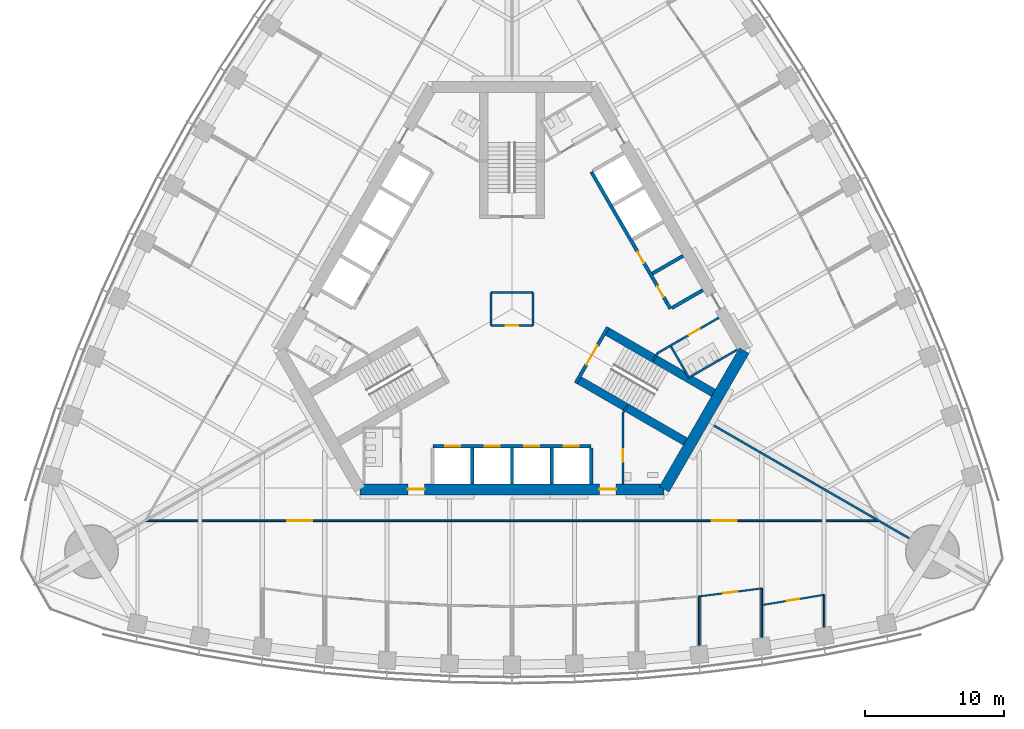
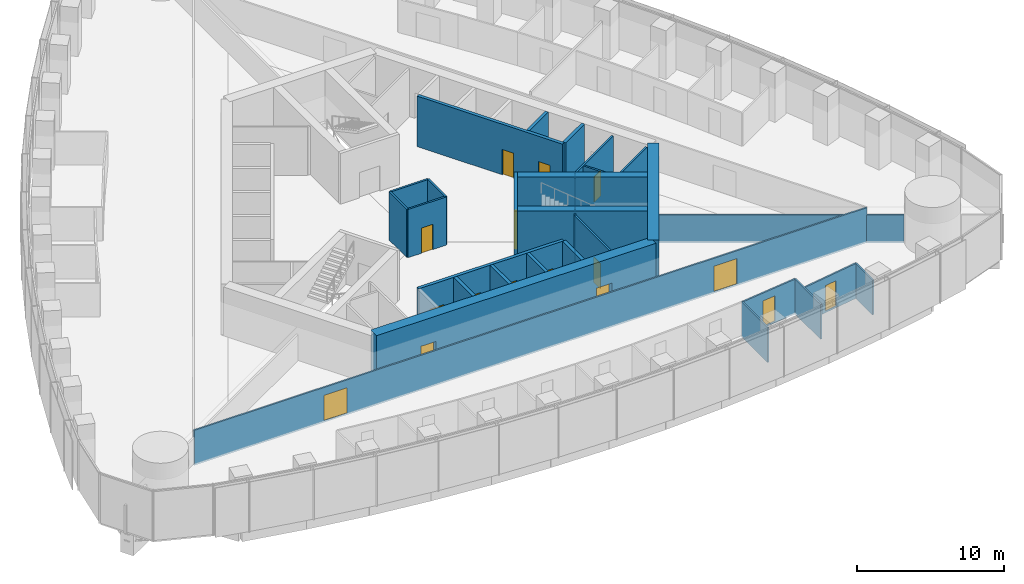
# One storey, part 13 of 21: 30 walls, 16 doors, 16 openings.
"""IFC4 building model written with IfcOpenShell, lengths in metres."""

from ifc_helpers import new_model, si_unit, direction, frame, frame_2d, origin, place, context, subcontext, project, spatial, rectangle, extrude, material, layer, layer_set, type_object, element, fill, save


model = new_model("IFC4")

# Units and contexts
model_context = context("Model", 3, precision=1e-05, world=origin(), true_north=direction((0.0, 1.0)))
body_context = subcontext(model_context, "Body", "Model", "MODEL_VIEW")
ifc_project = project(units=[si_unit("LENGTHUNIT", "METRE"), si_unit("AREAUNIT", "SQUARE_METRE"), si_unit("VOLUMEUNIT", "CUBIC_METRE"), si_unit("PLANEANGLEUNIT", "RADIAN"), si_unit("MASSUNIT", "GRAM", prefix="KILO")], contexts=[model_context])

# Site, building, storey
site_placement = place(None, origin())
site = spatial("IfcSite", under=ifc_project, at=site_placement, CompositionType="ELEMENT")
building_placement = place(site_placement, origin())
building = spatial("IfcBuilding", under=site, at=building_placement, Name="Trefoil Bronze Tower", CompositionType="ELEMENT")
storey_placement = place(building_placement, frame((0.0, 0.0, 145.10009765625)))
storey = spatial("IfcBuildingStorey", under=building, at=storey_placement, Name="L33", CompositionType="ELEMENT", Elevation=145.10009765625)

# Wall, openings, doors
ifc_material_1 = material(Name="Concrete B80", Category="concrete")
ifc_layer_1 = layer(ifc_material_1, 0.800048828125)
ifc_layer_set_1 = layer_set([ifc_layer_1], Name="Core wall 800")
wall_type_1 = type_object("IfcWallType", Name="Core wall 800", PredefinedType="SHEAR", material=ifc_layer_set_1)
wall_1_placement = place(storey_placement, frame((-10.9697265625, -13.0, 0.0), z_axis=(0.0, 0.0, 1.0), x_axis=(1.0, 0.0, 0.0)))
wall_1 = element("IfcWall", 1, at=wall_1_placement, inside=storey, type_object=wall_type_1, Name="Core long wall 1 L33", PredefinedType="SHEAR", context=body_context, shape_type="SweptSolid", body=[
    extrude(rectangle(XDim=21.939453125, YDim=0.800048828125, at=frame_2d((10.9697265625, 0.0))), origin(), (0.0, 0.0, 1.0), 4.199951171875),
])
opening_1_placement = place(wall_1_placement, frame((17.269775390625, 0.0, 0.0)))
opening_1 = element("IfcOpeningElement", 2, at=opening_1_placement, cuts=wall_1, Name="Opening D2", PredefinedType="OPENING", context=body_context, shape_type="SweptSolid", body=[
    extrude(rectangle(XDim=1.199951171875, YDim=2.10009765625, at=frame_2d((0.60009765625, 1.050048828125))), frame((0.0, 0.409912109375, 0.0), z_axis=(0.0, -1.0, 0.0), x_axis=(1.0, 0.0, 0.0)), (0.0, 0.0, 1.0), 0.820068359375),
])
opening_2_placement = place(wall_1_placement, frame((3.4697265625, 0.0, 0.0)))
opening_2 = element("IfcOpeningElement", 3, at=opening_2_placement, cuts=wall_1, Name="Opening D2", PredefinedType="OPENING", context=body_context, shape_type="SweptSolid", body=[
    extrude(rectangle(XDim=1.199951171875, YDim=2.10009765625, at=frame_2d((0.60009765625, 1.050048828125))), frame((0.0, 0.409912109375, 0.0), z_axis=(0.0, -1.0, 0.0), x_axis=(1.0, 0.0, 0.0)), (0.0, 0.0, 1.0), 0.820068359375),
])
ifc_material_2 = material(Name="Steel door", Category="steel")
door_type_1 = type_object("IfcDoorType", Name="Lobby door 1200", OperationType="SINGLE_SWING_RIGHT", PredefinedType="DOOR", material=ifc_material_2)
door_1_placement = place(opening_1_placement, origin())
door_1 = element("IfcDoor", 4, at=door_1_placement, inside=storey, type_object=door_type_1, Name="Lobby door F1+ L33", OperationType="SINGLE_SWING_RIGHT", OverallHeight=2.10009765625, OverallWidth=1.199951171875, PredefinedType="DOOR", context=body_context, shape_type="SweptSolid", body=[
    extrude(rectangle(XDim=1.199951171875, YDim=2.10009765625, at=frame_2d((0.60009765625, 1.050048828125))), frame((0.0, 0.02490234375, 0.0), z_axis=(0.0, -1.0, 0.0), x_axis=(1.0, 0.0, 0.0)), (0.0, 0.0, 1.0), 0.050048828125),
])
fill(opening_1, door_1)
door_2_placement = place(opening_2_placement, origin())
door_2 = element("IfcDoor", 5, at=door_2_placement, inside=storey, type_object=door_type_1, Name="Lobby door F1- L33", OperationType="SINGLE_SWING_LEFT", OverallHeight=2.10009765625, OverallWidth=1.199951171875, PredefinedType="DOOR", context=body_context, shape_type="SweptSolid", body=[
    extrude(rectangle(XDim=1.199951171875, YDim=2.10009765625, at=frame_2d((0.60009765625, 1.050048828125))), frame((0.0, 0.02490234375, 0.0), z_axis=(0.0, -1.0, 0.0), x_axis=(1.0, 0.0, 0.0)), (0.0, 0.0, 1.0), 0.050048828125),
])
fill(opening_2, door_2)

# Wall
wall_2_placement = place(storey_placement, frame((10.9697265625, -13.0, 0.0), z_axis=(0.0, 0.0, 1.0), x_axis=(0.499995765644, 0.866027848477, 0.0)))
element("IfcWall", 6, at=wall_2_placement, inside=storey, type_object=wall_type_1, Name="Core short wall 1 L33", PredefinedType="SHEAR", context=body_context, shape_type="SweptSolid", body=[
    extrude(rectangle(XDim=11.546875, YDim=0.800048828125, at=frame_2d((5.7734375, 0.0))), origin(), (0.0, 0.0, 1.0), 4.199951171875),
])

# Wall, openings, doors
ifc_material_3 = material(Name="Glazed partition", Category="glass")
ifc_layer_2 = layer(ifc_material_3, 0.1201171875)
ifc_layer_set_2 = layer_set([ifc_layer_2], Name="Glazed partition 120")
wall_type_2 = type_object("IfcWallType", Name="Glazed partition 120", PredefinedType="PARTITIONING", material=ifc_layer_set_2)
wall_3_placement = place(storey_placement, frame((-26.398193359375, -15.260009765625, 0.0), z_axis=(0.0, 0.0, 1.0), x_axis=(1.0, 0.0, 0.0)))
wall_3 = element("IfcWall", 7, at=wall_3_placement, inside=storey, type_object=wall_type_2, Name="Partition F1 L33", PredefinedType="PARTITIONING", context=body_context, shape_type="SweptSolid", body=[
    extrude(rectangle(XDim=52.79638671875, YDim=0.1201171875, at=frame_2d((26.398193359375, 0.0))), origin(), (0.0, 0.0, 1.0), 2.89990234375),
])
opening_3_placement = place(wall_3_placement, frame((10.199951171875, 0.0, 0.14990234375)))
opening_3 = element("IfcOpeningElement", 8, at=opening_3_placement, cuts=wall_3, Name="Opening D10", PredefinedType="OPENING", context=body_context, shape_type="SweptSolid", body=[
    extrude(rectangle(XDim=1.800048828125, YDim=2.10009765625, at=frame_2d((0.89990234375, 1.050048828125))), frame((0.0, 0.070068359375, 0.0), z_axis=(0.0, -1.0, 0.0), x_axis=(1.0, 0.0, 0.0)), (0.0, 0.0, 1.0), 0.14013671875),
])
opening_4_placement = place(wall_3_placement, frame((40.800048828125, 0.0, 0.14990234375)))
opening_4 = element("IfcOpeningElement", 9, at=opening_4_placement, cuts=wall_3, Name="Opening D10", PredefinedType="OPENING", context=body_context, shape_type="SweptSolid", body=[
    extrude(rectangle(XDim=1.800048828125, YDim=2.10009765625, at=frame_2d((0.89990234375, 1.050048828125))), frame((0.0, 0.070068359375, 0.0), z_axis=(0.0, -1.0, 0.0), x_axis=(1.0, 0.0, 0.0)), (0.0, 0.0, 1.0), 0.14013671875),
])
ifc_material_4 = material(Name="Timber door", Category="wood")
door_type_2 = type_object("IfcDoorType", Name="Double door 1800", OperationType="DOUBLE_DOOR_SINGLE_SWING", PredefinedType="DOOR", material=ifc_material_4)
door_3_placement = place(opening_3_placement, origin())
door_3 = element("IfcDoor", 10, at=door_3_placement, inside=storey, type_object=door_type_2, Name="Corridor door F1 L33", OperationType="DOUBLE_DOOR_SINGLE_SWING", OverallHeight=2.10009765625, OverallWidth=1.800048828125, PredefinedType="DOOR", context=body_context, shape_type="SweptSolid", body=[
    extrude(rectangle(XDim=1.800048828125, YDim=2.10009765625, at=frame_2d((0.89990234375, 1.050048828125))), frame((0.0, 0.02490234375, 0.0), z_axis=(0.0, -1.0, 0.0), x_axis=(1.0, 0.0, 0.0)), (0.0, 0.0, 1.0), 0.050048828125),
])
fill(opening_3, door_3)
door_4_placement = place(opening_4_placement, origin())
door_4 = element("IfcDoor", 11, at=door_4_placement, inside=storey, type_object=door_type_2, Name="Corridor door F1 L33", OperationType="DOUBLE_DOOR_SINGLE_SWING", OverallHeight=2.10009765625, OverallWidth=1.800048828125, PredefinedType="DOOR", context=body_context, shape_type="SweptSolid", body=[
    extrude(rectangle(XDim=1.800048828125, YDim=2.10009765625, at=frame_2d((0.89990234375, 1.050048828125))), frame((0.0, 0.02490234375, 0.0), z_axis=(0.0, -1.0, 0.0), x_axis=(1.0, 0.0, 0.0)), (0.0, 0.0, 1.0), 0.050048828125),
])
fill(opening_4, door_4)

# Wall, opening, door
wall_4_placement = place(storey_placement, frame((13.5, -20.7177734375, 0.0), z_axis=(0.0, 0.0, 1.0), x_axis=(0.992010652594, 0.12615413247, 0.0)))
wall_4 = element("IfcWall", 12, at=wall_4_placement, inside=storey, type_object=wall_type_2, Name="Partition F1 L33", PredefinedType="PARTITIONING", context=body_context, shape_type="SweptSolid", body=[
    extrude(rectangle(XDim=4.5361328125, YDim=0.1201171875, at=frame_2d((2.26806640625, 0.0))), origin(), (0.0, 0.0, 1.0), 2.89990234375),
])
opening_5_placement = place(wall_4_placement, frame((1.75, 0.0, 0.14990234375)))
opening_5 = element("IfcOpeningElement", 13, at=opening_5_placement, cuts=wall_4, Name="Opening D9", PredefinedType="OPENING", context=body_context, shape_type="SweptSolid", body=[
    extrude(rectangle(XDim=1.0, YDim=2.10009765625, at=frame_2d((0.5, 1.050048828125))), frame((0.0, 0.070068359375, 0.0), z_axis=(0.0, -1.0, 0.0), x_axis=(1.0, 0.0, 0.0)), (0.0, 0.0, 1.0), 0.14013671875),
])
ifc_material_5 = material(Name="Glazed timber door", Category="wood")
door_type_3 = type_object("IfcDoorType", Name="Meeting room door 1000", OperationType="SINGLE_SWING_LEFT", PredefinedType="DOOR", material=ifc_material_5)
door_5_placement = place(opening_5_placement, frame((1.0, 0.0, 0.0), z_axis=(0.0, 0.0, 1.0), x_axis=(-1.0, 0.0, 0.0)))
door_5 = element("IfcDoor", 14, at=door_5_placement, inside=storey, type_object=door_type_3, Name="Meeting room door F1 L33", OperationType="SINGLE_SWING_RIGHT", OverallHeight=2.10009765625, OverallWidth=1.0, PredefinedType="DOOR", context=body_context, shape_type="SweptSolid", body=[
    extrude(rectangle(XDim=1.0, YDim=2.10009765625, at=frame_2d((0.5, 1.050048828125))), frame((0.0, 0.02490234375, 0.0), z_axis=(0.0, -1.0, 0.0), x_axis=(1.0, 0.0, 0.0)), (0.0, 0.0, 1.0), 0.050048828125),
])
fill(opening_5, door_5)

wall_5_placement = place(storey_placement, frame((18.0, -21.345458984375, 0.0), z_axis=(0.0, 0.0, 1.0), x_axis=(0.986764681833, 0.162158757664, 0.0)))
wall_5 = element("IfcWall", 15, at=wall_5_placement, inside=storey, type_object=wall_type_2, Name="Partition F1 L33", PredefinedType="PARTITIONING", context=body_context, shape_type="SweptSolid", body=[
    extrude(rectangle(XDim=4.560302734375, YDim=0.1201171875, at=frame_2d((2.2802734375, 0.0))), origin(), (0.0, 0.0, 1.0), 2.89990234375),
])
opening_6_placement = place(wall_5_placement, frame((1.85009765625, 0.0, 0.14990234375)))
opening_6 = element("IfcOpeningElement", 16, at=opening_6_placement, cuts=wall_5, Name="Opening D8", PredefinedType="OPENING", context=body_context, shape_type="SweptSolid", body=[
    extrude(rectangle(XDim=0.89990234375, YDim=2.10009765625, at=frame_2d((0.449951171875, 1.050048828125))), frame((0.0, 0.070068359375, 0.0), z_axis=(0.0, -1.0, 0.0), x_axis=(1.0, 0.0, 0.0)), (0.0, 0.0, 1.0), 0.14013671875),
])
ifc_material_6 = material(Name="Timber door", Category="wood")
door_type_4 = type_object("IfcDoorType", Name="Office door 900", OperationType="SINGLE_SWING_LEFT", PredefinedType="DOOR", material=ifc_material_6)
door_6_placement = place(opening_6_placement, frame((0.89990234375, 0.0, 0.0), z_axis=(0.0, 0.0, 1.0), x_axis=(-1.0, 0.0, 0.0)))
door_6 = element("IfcDoor", 17, at=door_6_placement, inside=storey, type_object=door_type_4, Name="Pantry door F1 L33", OperationType="SINGLE_SWING_LEFT", OverallHeight=2.10009765625, OverallWidth=0.89990234375, PredefinedType="DOOR", context=body_context, shape_type="SweptSolid", body=[
    extrude(rectangle(XDim=0.89990234375, YDim=2.10009765625, at=frame_2d((0.449951171875, 1.050048828125))), frame((0.0, 0.02490234375, 0.0), z_axis=(0.0, -1.0, 0.0), x_axis=(1.0, 0.0, 0.0)), (0.0, 0.0, 1.0), 0.050048828125),
])
fill(opening_6, door_6)

# Walls
wall_6_placement = place(storey_placement, frame((13.5, -20.7177734375, 0.0), z_axis=(0.0, 0.0, 1.0), x_axis=(0.0, -1.0, 0.0)))
element("IfcWall", 18, at=wall_6_placement, inside=storey, type_object=wall_type_2, Name="Partition F1 L33", PredefinedType="PARTITIONING", context=body_context, shape_type="SweptSolid", body=[
    extrude(rectangle(XDim=3.53662109375, YDim=0.1201171875, at=frame_2d((1.768310546875, 0.0))), origin(), (0.0, 0.0, 1.0), 2.89990234375),
])
wall_7_placement = place(storey_placement, frame((18.0, -20.1455078125, 0.0), z_axis=(0.0, 0.0, 1.0), x_axis=(0.0, -1.0, 0.0)))
element("IfcWall", 19, at=wall_7_placement, inside=storey, type_object=wall_type_2, Name="Partition F1 L33", PredefinedType="PARTITIONING", context=body_context, shape_type="SweptSolid", body=[
    extrude(rectangle(XDim=3.52978515625, YDim=0.1201171875, at=frame_2d((1.764892578125, 0.0))), origin(), (0.0, 0.0, 1.0), 2.89990234375),
])
wall_8_placement = place(storey_placement, frame((22.5, -20.60595703125, 0.0), z_axis=(0.0, 0.0, 1.0), x_axis=(0.0, -1.0, 0.0)))
element("IfcWall", 20, at=wall_8_placement, inside=storey, type_object=wall_type_2, Name="Partition F1 L33", PredefinedType="PARTITIONING", context=body_context, shape_type="SweptSolid", body=[
    extrude(rectangle(XDim=2.32080078125, YDim=0.1201171875, at=frame_2d((1.160400390625, 0.0))), origin(), (0.0, 0.0, 1.0), 2.89990234375),
])

# Wall, opening, door
ifc_material_7 = material(Name="Gypsum board on steel studs", Category="steel")
ifc_layer_3 = layer(ifc_material_7, 0.14990234375)
ifc_layer_set_3 = layer_set([ifc_layer_3], Name="Partition 150")
wall_type_3 = type_object("IfcWallType", Name="Partition 150", PredefinedType="PARTITIONING", material=ifc_layer_set_3)
wall_9_placement = place(storey_placement, frame((8.0, -7.5, 0.0), z_axis=(0.0, 0.0, 1.0), x_axis=(0.0, -1.0, 0.0)))
wall_9 = element("IfcWall", 21, at=wall_9_placement, inside=storey, type_object=wall_type_3, Name="Passage wall F1+ L33", PredefinedType="PARTITIONING", context=body_context, shape_type="SweptSolid", body=[
    extrude(rectangle(XDim=5.10009765625, YDim=0.14990234375, at=frame_2d((2.550048828125, 0.0))), origin(), (0.0, 0.0, 1.0), 4.0),
])
opening_7_placement = place(wall_9_placement, frame((2.60009765625, 0.0, 0.0)))
opening_7 = element("IfcOpeningElement", 22, at=opening_7_placement, cuts=wall_9, Name="Opening D3", PredefinedType="OPENING", context=body_context, shape_type="SweptSolid", body=[
    extrude(rectangle(XDim=0.89990234375, YDim=2.10009765625, at=frame_2d((0.449951171875, 1.050048828125))), frame((0.0, 0.0849609375, 0.0), z_axis=(0.0, -1.0, 0.0), x_axis=(1.0, 0.0, 0.0)), (0.0, 0.0, 1.0), 0.169921875),
])
ifc_material_8 = material(Name="Timber door", Category="wood")
door_type_5 = type_object("IfcDoorType", Name="WC door 900", OperationType="SINGLE_SWING_LEFT", PredefinedType="DOOR", material=ifc_material_8)
door_7_placement = place(opening_7_placement, origin())
door_7 = element("IfcDoor", 23, at=door_7_placement, inside=storey, type_object=door_type_5, Name="Accessible WC door L33", OperationType="SINGLE_SWING_RIGHT", OverallHeight=2.10009765625, OverallWidth=0.89990234375, PredefinedType="DOOR", context=body_context, shape_type="SweptSolid", body=[
    extrude(rectangle(XDim=0.89990234375, YDim=2.10009765625, at=frame_2d((0.449951171875, 1.050048828125))), frame((0.0, 0.02490234375, 0.0), z_axis=(0.0, -1.0, 0.0), x_axis=(1.0, 0.0, 0.0)), (0.0, 0.0, 1.0), 0.050048828125),
])
fill(opening_7, door_7)

wall_10_placement = place(storey_placement, frame((10.4951171875, -3.17822265625, 0.0), z_axis=(0.0, 0.0, 1.0), x_axis=(0.86602216432, 0.500005610874, 0.0)))
wall_10 = element("IfcWall", 24, at=wall_10_placement, inside=storey, type_object=wall_type_3, Name="Passage wall F2- L33", PredefinedType="PARTITIONING", context=body_context, shape_type="SweptSolid", body=[
    extrude(rectangle(XDim=5.10009765625, YDim=0.14990234375, at=frame_2d((2.550048828125, 0.0))), origin(), (0.0, 0.0, 1.0), 4.0),
])
opening_8_placement = place(wall_10_placement, frame((2.60009765625, 0.0, 0.0)))
opening_8 = element("IfcOpeningElement", 25, at=opening_8_placement, cuts=wall_10, Name="Opening D3", PredefinedType="OPENING", context=body_context, shape_type="SweptSolid", body=[
    extrude(rectangle(XDim=0.89990234375, YDim=2.10009765625, at=frame_2d((0.449951171875, 1.050048828125))), frame((0.0, 0.0849609375, 0.0), z_axis=(0.0, -1.0, 0.0), x_axis=(1.0, 0.0, 0.0)), (0.0, 0.0, 1.0), 0.169921875),
])
door_8_placement = place(opening_8_placement, frame((0.89990234375, 0.0, 0.0), z_axis=(0.0, 0.0, 1.0), x_axis=(-1.0, 0.0, 0.0)))
door_8 = element("IfcDoor", 26, at=door_8_placement, inside=storey, type_object=door_type_5, Name="WC (women) door L33", OperationType="SINGLE_SWING_RIGHT", OverallHeight=2.10009765625, OverallWidth=0.89990234375, PredefinedType="DOOR", context=body_context, shape_type="SweptSolid", body=[
    extrude(rectangle(XDim=0.89990234375, YDim=2.10009765625, at=frame_2d((0.449951171875, 1.050048828125))), frame((0.0, 0.02490234375, 0.0), z_axis=(0.0, -1.0, 0.0), x_axis=(1.0, 0.0, 0.0)), (0.0, 0.0, 1.0), 0.050048828125),
])
fill(opening_8, door_8)

# Walls
for number, where, z_axis, x_axis, name in (
    (27, (8.0, -7.5, 0.0), (0.0, 0.0, 1.0), (0.499842556608, 0.866116284689, 0.0), "WC wall ST1-1 L33"),
    (28, (10.4951171875, -3.17822265625, 0.0), (0.0, 0.0, 1.0), (-0.499842556608, -0.866116284689, 0.0), "WC wall ST1+1 L33"),
):
    element("IfcWall", number, at=place(storey_placement, frame(where, z_axis=z_axis, x_axis=x_axis)), inside=storey, type_object=wall_type_3, Name=name, PredefinedType="PARTITIONING", context=body_context, shape_type="SweptSolid", body=[
        extrude(rectangle(XDim=0.645263671875, YDim=0.14990234375, at=frame_2d((0.32275390625, 0.0))), origin(), (0.0, 0.0, 1.0), 4.0),
    ])
wall_11_placement = place(storey_placement, frame((12.691162109375, -4.98193359375, 0.0), z_axis=(0.0, 0.0, 1.0), x_axis=(0.8660249478, 0.500000789788, 0.0)))
element("IfcWall", 29, at=wall_11_placement, inside=storey, type_object=wall_type_3, Name="WC partition WC (women) L33", PredefinedType="PARTITIONING", context=body_context, shape_type="SweptSolid", body=[
    extrude(rectangle(XDim=4.10009765625, YDim=0.14990234375, at=frame_2d((2.050048828125, 0.0))), origin(), (0.0, 0.0, 1.0), 4.0),
])
wall_12_placement = place(storey_placement, frame((11.463623046875, -2.70556640625, 0.0), z_axis=(0.0, 0.0, 1.0), x_axis=(0.50001992892, -0.866013897511, 0.0)))
element("IfcWall", 30, at=wall_12_placement, inside=storey, type_object=wall_type_3, Name="WC partition WC (women) L33", PredefinedType="PARTITIONING", context=body_context, shape_type="SweptSolid", body=[
    extrude(rectangle(XDim=2.51025390625, YDim=0.14990234375, at=frame_2d((1.255126953125, 0.0))), origin(), (0.0, 0.0, 1.0), 4.0),
])
ifc_material_9 = material(Name="Gypsum board on steel studs", Category="steel")
ifc_layer_4 = layer(ifc_material_9, 0.14990234375)
ifc_layer_set_4 = layer_set([ifc_layer_4], Name="Party wall 150")
wall_type_4 = type_object("IfcWallType", Name="Party wall 150", PredefinedType="PARTITIONING", material=ifc_layer_set_4)
wall_13_placement = place(storey_placement, frame((14.202880859375, -8.199951171875, 0.0), z_axis=(0.0, 0.0, 1.0), x_axis=(0.866024668836, -0.500001272966, 0.0)))
element("IfcWall", 31, at=wall_13_placement, inside=storey, type_object=wall_type_4, Name="Party wall K1 L33", PredefinedType="PARTITIONING", context=body_context, shape_type="SweptSolid", body=[
    extrude(rectangle(XDim=16.64990234375, YDim=0.14990234375, at=frame_2d((8.324951171875, 0.0))), origin(), (0.0, 0.0, 1.0), 2.2998046875),
])

# Wall, opening, door
ifc_material_10 = material(Name="Gypsum board on steel studs", Category="steel")
ifc_layer_5 = layer(ifc_material_10, 0.14990234375)
ifc_layer_set_5 = layer_set([ifc_layer_5], Name="Riser wall 150")
wall_type_5 = type_object("IfcWallType", Name="Riser wall 150", PredefinedType="PARTITIONING", material=ifc_layer_set_5)
wall_14_placement = place(storey_placement, frame((-1.5, -1.199951171875, 0.0), z_axis=(0.0, 0.0, 1.0), x_axis=(1.0, 0.0, 0.0)))
wall_14 = element("IfcWall", 32, at=wall_14_placement, inside=storey, type_object=wall_type_5, Name="Riser wall L33", PredefinedType="PARTITIONING", context=body_context, shape_type="SweptSolid", body=[
    extrude(rectangle(XDim=3.0, YDim=0.14990234375, at=frame_2d((1.5, 0.0))), origin(), (0.0, 0.0, 1.0), 4.0),
])
opening_9_placement = place(wall_14_placement, frame((1.050048828125, 0.0, 0.0)))
opening_9 = element("IfcOpeningElement", 33, at=opening_9_placement, cuts=wall_14, Name="Opening D4", PredefinedType="OPENING", context=body_context, shape_type="SweptSolid", body=[
    extrude(rectangle(XDim=0.89990234375, YDim=2.10009765625, at=frame_2d((0.449951171875, 1.050048828125))), frame((0.0, 0.0849609375, 0.0), z_axis=(0.0, -1.0, 0.0), x_axis=(1.0, 0.0, 0.0)), (0.0, 0.0, 1.0), 0.169921875),
])
ifc_material_11 = material(Name="Steel door", Category="steel")
door_type_6 = type_object("IfcDoorType", Name="Riser door 900", OperationType="SINGLE_SWING_LEFT", PredefinedType="DOOR", material=ifc_material_11)
door_9_placement = place(opening_9_placement, frame((0.89990234375, 0.0, 0.0), z_axis=(0.0, 0.0, 1.0), x_axis=(-1.0, 0.0, 0.0)))
door_9 = element("IfcDoor", 34, at=door_9_placement, inside=storey, type_object=door_type_6, Name="Riser door L33", OperationType="SINGLE_SWING_LEFT", OverallHeight=2.10009765625, OverallWidth=0.89990234375, PredefinedType="DOOR", context=body_context, shape_type="SweptSolid", body=[
    extrude(rectangle(XDim=0.89990234375, YDim=2.10009765625, at=frame_2d((0.449951171875, 1.050048828125))), frame((0.0, 0.02490234375, 0.0), z_axis=(0.0, -1.0, 0.0), x_axis=(1.0, 0.0, 0.0)), (0.0, 0.0, 1.0), 0.050048828125),
])
fill(opening_9, door_9)

# Walls
wall_15_placement = place(storey_placement, frame((1.5, -1.199951171875, 0.0), z_axis=(0.0, 0.0, 1.0), x_axis=(0.0, 1.0, 0.0)))
element("IfcWall", 35, at=wall_15_placement, inside=storey, type_object=wall_type_5, Name="Riser wall L33", PredefinedType="PARTITIONING", context=body_context, shape_type="SweptSolid", body=[
    extrude(rectangle(XDim=2.39990234375, YDim=0.14990234375, at=frame_2d((1.199951171875, 0.0))), origin(), (0.0, 0.0, 1.0), 4.0),
])
wall_16_placement = place(storey_placement, frame((1.5, 1.199951171875, 0.0), z_axis=(0.0, 0.0, 1.0), x_axis=(-1.0, 0.0, 0.0)))
element("IfcWall", 36, at=wall_16_placement, inside=storey, type_object=wall_type_5, Name="Riser wall L33", PredefinedType="PARTITIONING", context=body_context, shape_type="SweptSolid", body=[
    extrude(rectangle(XDim=3.0, YDim=0.14990234375, at=frame_2d((1.5, 0.0))), origin(), (0.0, 0.0, 1.0), 4.0),
])
wall_17_placement = place(storey_placement, frame((-1.5, 1.199951171875, 0.0), z_axis=(0.0, 0.0, 1.0), x_axis=(0.0, -1.0, 0.0)))
element("IfcWall", 37, at=wall_17_placement, inside=storey, type_object=wall_type_5, Name="Riser wall L33", PredefinedType="PARTITIONING", context=body_context, shape_type="SweptSolid", body=[
    extrude(rectangle(XDim=2.39990234375, YDim=0.14990234375, at=frame_2d((1.199951171875, 0.0))), origin(), (0.0, 0.0, 1.0), 4.0),
])

# Wall, openings, doors
ifc_material_12 = material(Name="Concrete B80", Category="concrete")
ifc_layer_6 = layer(ifc_material_12, 0.25)
ifc_layer_set_6 = layer_set([ifc_layer_6], Name="Shaft wall 250")
wall_type_6 = type_object("IfcWallType", Name="Shaft wall 250", PredefinedType="SHEAR", material=ifc_layer_set_6)
wall_18_placement = place(storey_placement, frame((-5.699951171875, -9.89990234375, 0.0), z_axis=(0.0, 0.0, 1.0), x_axis=(1.0, 0.0, 0.0)))
wall_18 = element("IfcWall", 38, at=wall_18_placement, inside=storey, type_object=wall_type_6, Name="Lift shaft front wall A L33", PredefinedType="SHEAR", context=body_context, shape_type="SweptSolid", body=[
    extrude(rectangle(XDim=11.39990234375, YDim=0.25, at=frame_2d((5.699951171875, 0.0))), origin(), (0.0, 0.0, 1.0), 4.199951171875),
])
opening_10_placement = place(wall_18_placement, frame((0.875, 0.0, 0.0)))
opening_10 = element("IfcOpeningElement", 39, at=opening_10_placement, cuts=wall_18, Name="Opening LD-P21", PredefinedType="OPENING", context=body_context, shape_type="SweptSolid", body=[
    extrude(rectangle(XDim=1.10009765625, YDim=2.199951171875, at=frame_2d((0.550048828125, 1.10009765625))), frame((0.0, 0.135009765625, 0.0), z_axis=(0.0, -1.0, 0.0), x_axis=(1.0, 0.0, 0.0)), (0.0, 0.0, 1.0), 0.27001953125),
])
opening_11_placement = place(wall_18_placement, frame((3.72509765625, 0.0, 0.0)))
opening_11 = element("IfcOpeningElement", 40, at=opening_11_placement, cuts=wall_18, Name="Opening LD-P22", PredefinedType="OPENING", context=body_context, shape_type="SweptSolid", body=[
    extrude(rectangle(XDim=1.10009765625, YDim=2.199951171875, at=frame_2d((0.550048828125, 1.10009765625))), frame((0.0, 0.135009765625, 0.0), z_axis=(0.0, -1.0, 0.0), x_axis=(1.0, 0.0, 0.0)), (0.0, 0.0, 1.0), 0.27001953125),
])
opening_12_placement = place(wall_18_placement, frame((6.574951171875, 0.0, 0.0)))
opening_12 = element("IfcOpeningElement", 41, at=opening_12_placement, cuts=wall_18, Name="Opening LD-P23", PredefinedType="OPENING", context=body_context, shape_type="SweptSolid", body=[
    extrude(rectangle(XDim=1.10009765625, YDim=2.199951171875, at=frame_2d((0.550048828125, 1.10009765625))), frame((0.0, 0.135009765625, 0.0), z_axis=(0.0, -1.0, 0.0), x_axis=(1.0, 0.0, 0.0)), (0.0, 0.0, 1.0), 0.27001953125),
])
opening_13_placement = place(wall_18_placement, frame((9.425048828125, 0.0, 0.0)))
opening_13 = element("IfcOpeningElement", 42, at=opening_13_placement, cuts=wall_18, Name="Opening LD-P24", PredefinedType="OPENING", context=body_context, shape_type="SweptSolid", body=[
    extrude(rectangle(XDim=1.10009765625, YDim=2.199951171875, at=frame_2d((0.550048828125, 1.10009765625))), frame((0.0, 0.135009765625, 0.0), z_axis=(0.0, -1.0, 0.0), x_axis=(1.0, 0.0, 0.0)), (0.0, 0.0, 1.0), 0.27001953125),
])
ifc_material_13 = material(Name="Steel door", Category="steel")
door_type_7 = type_object("IfcDoorType", Name="Lift landing door 1100", OperationType="DOUBLE_DOOR_SLIDING", PredefinedType="DOOR", material=ifc_material_13)
door_10_placement = place(opening_10_placement, origin())
door_10 = element("IfcDoor", 43, at=door_10_placement, inside=storey, type_object=door_type_7, Name="Lift P21 landing door L33", OperationType="DOUBLE_DOOR_SLIDING", OverallHeight=2.199951171875, OverallWidth=1.10009765625, PredefinedType="DOOR", context=body_context, shape_type="SweptSolid", body=[
    extrude(rectangle(XDim=1.10009765625, YDim=2.199951171875, at=frame_2d((0.550048828125, 1.10009765625))), frame((0.0, 0.02490234375, 0.0), z_axis=(0.0, -1.0, 0.0), x_axis=(1.0, 0.0, 0.0)), (0.0, 0.0, 1.0), 0.050048828125),
])
fill(opening_10, door_10)
door_11_placement = place(opening_11_placement, origin())
door_11 = element("IfcDoor", 44, at=door_11_placement, inside=storey, type_object=door_type_7, Name="Lift P22 landing door L33", OperationType="DOUBLE_DOOR_SLIDING", OverallHeight=2.199951171875, OverallWidth=1.10009765625, PredefinedType="DOOR", context=body_context, shape_type="SweptSolid", body=[
    extrude(rectangle(XDim=1.10009765625, YDim=2.199951171875, at=frame_2d((0.550048828125, 1.10009765625))), frame((0.0, 0.02490234375, 0.0), z_axis=(0.0, -1.0, 0.0), x_axis=(1.0, 0.0, 0.0)), (0.0, 0.0, 1.0), 0.050048828125),
])
fill(opening_11, door_11)
door_12_placement = place(opening_12_placement, origin())
door_12 = element("IfcDoor", 45, at=door_12_placement, inside=storey, type_object=door_type_7, Name="Lift P23 landing door L33", OperationType="DOUBLE_DOOR_SLIDING", OverallHeight=2.199951171875, OverallWidth=1.10009765625, PredefinedType="DOOR", context=body_context, shape_type="SweptSolid", body=[
    extrude(rectangle(XDim=1.10009765625, YDim=2.199951171875, at=frame_2d((0.550048828125, 1.10009765625))), frame((0.0, 0.02490234375, 0.0), z_axis=(0.0, -1.0, 0.0), x_axis=(1.0, 0.0, 0.0)), (0.0, 0.0, 1.0), 0.050048828125),
])
fill(opening_12, door_12)
door_13_placement = place(opening_13_placement, origin())
door_13 = element("IfcDoor", 46, at=door_13_placement, inside=storey, type_object=door_type_7, Name="Lift P24 landing door L33", OperationType="DOUBLE_DOOR_SLIDING", OverallHeight=2.199951171875, OverallWidth=1.10009765625, PredefinedType="DOOR", context=body_context, shape_type="SweptSolid", body=[
    extrude(rectangle(XDim=1.10009765625, YDim=2.199951171875, at=frame_2d((0.550048828125, 1.10009765625))), frame((0.0, 0.02490234375, 0.0), z_axis=(0.0, -1.0, 0.0), x_axis=(1.0, 0.0, 0.0)), (0.0, 0.0, 1.0), 0.050048828125),
])
fill(opening_13, door_13)

# Walls
for number, where, z_axis, x_axis, name in (
    (47, (-2.85009765625, -10.02490234375, 0.0), (0.0, 0.0, 1.0), (0.0, -1.0, 0.0), "Lift shaft side wall A1 L33"),
    (48, (0.0, -10.02490234375, 0.0), (0.0, 0.0, 1.0), (0.0, -1.0, 0.0), "Lift shaft side wall A2 L33"),
    (49, (2.85009765625, -10.02490234375, 0.0), (0.0, 0.0, 1.0), (0.0, -1.0, 0.0), "Lift shaft side wall A3 L33"),
    (50, (5.699951171875, -10.02490234375, 0.0), (0.0, 0.0, 1.0), (0.0, -1.0, 0.0), "Lift shaft side wall A4 L33"),
):
    element("IfcWall", number, at=place(storey_placement, frame(where, z_axis=z_axis, x_axis=x_axis)), inside=storey, type_object=wall_type_6, Name=name, PredefinedType="SHEAR", context=body_context, shape_type="SweptSolid", body=[
        extrude(rectangle(XDim=2.5751953125, YDim=0.25, at=frame_2d((1.28759765625, 0.0))), origin(), (0.0, 0.0, 1.0), 4.199951171875),
    ])

# Wall, openings, doors
wall_19_placement = place(storey_placement, frame((11.423583984375, 0.013671875, 0.0), z_axis=(0.0, 0.0, 1.0), x_axis=(-0.500001763848, 0.866024385424, 0.0)))
wall_19 = element("IfcWall", 51, at=wall_19_placement, inside=storey, type_object=wall_type_6, Name="Lift shaft front wall B L33", PredefinedType="SHEAR", context=body_context, shape_type="SweptSolid", body=[
    extrude(rectangle(XDim=11.39990234375, YDim=0.25, at=frame_2d((5.699951171875, 0.0))), origin(), (0.0, 0.0, 1.0), 4.199951171875),
])
opening_14_placement = place(wall_19_placement, frame((0.97509765625, 0.0, 0.0)))
opening_14 = element("IfcOpeningElement", 52, at=opening_14_placement, cuts=wall_19, Name="Opening D12", PredefinedType="OPENING", context=body_context, shape_type="SweptSolid", body=[
    extrude(rectangle(XDim=0.89990234375, YDim=2.10009765625, at=frame_2d((0.449951171875, 1.050048828125))), frame((0.0, 0.135009765625, 0.0), z_axis=(0.0, -1.0, 0.0), x_axis=(1.0, 0.0, 0.0)), (0.0, 0.0, 1.0), 0.27001953125),
])
opening_15_placement = place(wall_19_placement, frame((3.824951171875, 0.0, 0.0)))
opening_15 = element("IfcOpeningElement", 53, at=opening_15_placement, cuts=wall_19, Name="Opening D12", PredefinedType="OPENING", context=body_context, shape_type="SweptSolid", body=[
    extrude(rectangle(XDim=0.89990234375, YDim=2.10009765625, at=frame_2d((0.449951171875, 1.050048828125))), frame((0.0, 0.135009765625, 0.0), z_axis=(0.0, -1.0, 0.0), x_axis=(1.0, 0.0, 0.0)), (0.0, 0.0, 1.0), 0.27001953125),
])
ifc_material_14 = material(Name="Steel door", Category="steel")
door_type_8 = type_object("IfcDoorType", Name="Shaft room door 900", OperationType="SINGLE_SWING_LEFT", PredefinedType="DOOR", material=ifc_material_14)
door_14_placement = place(opening_14_placement, frame((0.89990234375, 0.0, 0.0), z_axis=(0.0, 0.0, 1.0), x_axis=(-1.0, 0.0, 0.0)))
door_14 = element("IfcDoor", 54, at=door_14_placement, inside=storey, type_object=door_type_8, Name="Shaft room door B1 L33", OperationType="SINGLE_SWING_LEFT", OverallHeight=2.10009765625, OverallWidth=0.89990234375, PredefinedType="DOOR", context=body_context, shape_type="SweptSolid", body=[
    extrude(rectangle(XDim=0.89990234375, YDim=2.10009765625, at=frame_2d((0.449951171875, 1.050048828125))), frame((0.0, 0.02490234375, 0.0), z_axis=(0.0, -1.0, 0.0), x_axis=(1.0, 0.0, 0.0)), (0.0, 0.0, 1.0), 0.050048828125),
])
fill(opening_14, door_14)
door_15_placement = place(opening_15_placement, frame((0.89990234375, 0.0, 0.0), z_axis=(0.0, 0.0, 1.0), x_axis=(-1.0, 0.0, 0.0)))
door_15 = element("IfcDoor", 55, at=door_15_placement, inside=storey, type_object=door_type_8, Name="Shaft room door B2 L33", OperationType="SINGLE_SWING_RIGHT", OverallHeight=2.10009765625, OverallWidth=0.89990234375, PredefinedType="DOOR", context=body_context, shape_type="SweptSolid", body=[
    extrude(rectangle(XDim=0.89990234375, YDim=2.10009765625, at=frame_2d((0.449951171875, 1.050048828125))), frame((0.0, 0.02490234375, 0.0), z_axis=(0.0, -1.0, 0.0), x_axis=(1.0, 0.0, 0.0)), (0.0, 0.0, 1.0), 0.050048828125),
])
fill(opening_15, door_15)

# Walls
for number, where, z_axis, x_axis, name in (
    (56, (11.531982421875, 0.076171875, 0.0), (0.0, 0.0, 1.0), (0.866005588531, 0.500034319456, 0.0), "Lift shaft side wall B0 L33"),
    (57, (10.10693359375, 2.54443359375, 0.0), (0.0, 0.0, 1.0), (0.866046643894, 0.499963209246, 0.0), "Lift shaft side wall B1 L33"),
):
    element("IfcWall", number, at=place(storey_placement, frame(where, z_axis=z_axis, x_axis=x_axis)), inside=storey, type_object=wall_type_6, Name=name, PredefinedType="SHEAR", context=body_context, shape_type="SweptSolid", body=[
        extrude(rectangle(XDim=2.574951171875, YDim=0.25, at=frame_2d((1.28759765625, 0.0))), origin(), (0.0, 0.0, 1.0), 4.199951171875),
    ])

# Wall, opening, door
wall_20_placement = place(storey_placement, frame((4.5966796875, -5.338623046875, 0.0), z_axis=(0.0, 0.0, 1.0), x_axis=(0.499984536904, 0.866034331223, 0.0)))
wall_20 = element("IfcWall", 58, at=wall_20_placement, inside=storey, type_object=wall_type_6, Name="Stair end wall ST1 L33", PredefinedType="SHEAR", context=body_context, shape_type="SweptSolid", body=[
    extrude(rectangle(XDim=4.650146484375, YDim=0.25, at=frame_2d((2.3251953125, 0.0))), origin(), (0.0, 0.0, 1.0), 4.199951171875),
])
opening_16_placement = place(wall_20_placement, frame((1.52490234375, 0.0, 0.0)))
opening_16 = element("IfcOpeningElement", 59, at=opening_16_placement, cuts=wall_20, Name="Opening D1", PredefinedType="OPENING", context=body_context, shape_type="SweptSolid", body=[
    extrude(rectangle(XDim=1.60009765625, YDim=2.10009765625, at=frame_2d((0.800048828125, 1.050048828125))), frame((0.0, 0.135009765625, 0.0), z_axis=(0.0, -1.0, 0.0), x_axis=(1.0, 0.0, 0.0)), (0.0, 0.0, 1.0), 0.27001953125),
])
ifc_material_15 = material(Name="Steel door", Category="steel")
door_type_9 = type_object("IfcDoorType", Name="Stair door 1600", OperationType="DOUBLE_DOOR_SINGLE_SWING", PredefinedType="DOOR", material=ifc_material_15)
door_16_placement = place(opening_16_placement, frame((1.60009765625, 0.0, 0.0), z_axis=(0.0, 0.0, 1.0), x_axis=(-1.0, 0.0, 0.0)))
door_16 = element("IfcDoor", 60, at=door_16_placement, inside=storey, type_object=door_type_9, Name="Stair door ST1 L33", OperationType="DOUBLE_DOOR_SINGLE_SWING", OverallHeight=2.10009765625, OverallWidth=1.60009765625, PredefinedType="DOOR", context=body_context, shape_type="SweptSolid", body=[
    extrude(rectangle(XDim=1.60009765625, YDim=2.10009765625, at=frame_2d((0.800048828125, 1.050048828125))), frame((0.0, 0.02490234375, 0.0), z_axis=(0.0, -1.0, 0.0), x_axis=(1.0, 0.0, 0.0)), (0.0, 0.0, 1.0), 0.050048828125),
])
fill(opening_16, door_16)

# Walls
ifc_material_16 = material(Name="Concrete B80", Category="concrete")
ifc_layer_7 = layer(ifc_material_16, 0.60009765625)
ifc_layer_set_7 = layer_set([ifc_layer_7], Name="Stair wall 600")
wall_type_7 = type_object("IfcWallType", Name="Stair wall 600", PredefinedType="SHEAR", material=ifc_layer_set_7)
for number, where, z_axis, x_axis, name in (
    (61, (4.638427734375, -5.01611328125, 0.0), (0.0, 0.0, 1.0), (0.866019375473, -0.500010441196, 0.0), "Stair wall ST1 L33"),
    (62, (6.663330078125, -1.5087890625, 0.0), (0.0, 0.0, 1.0), (0.866019375473, -0.500010441196, 0.0), "Stair wall ST1 L33"),
):
    element("IfcWall", number, at=place(storey_placement, frame(where, z_axis=z_axis, x_axis=x_axis)), inside=storey, type_object=wall_type_7, Name=name, PredefinedType="SHEAR", context=body_context, shape_type="SweptSolid", body=[
        extrude(rectangle(XDim=9.074951171875, YDim=0.60009765625, at=frame_2d((4.53759765625, 0.0))), origin(), (0.0, 0.0, 1.0), 4.199951171875),
    ])

save(model, "model.ifc")
